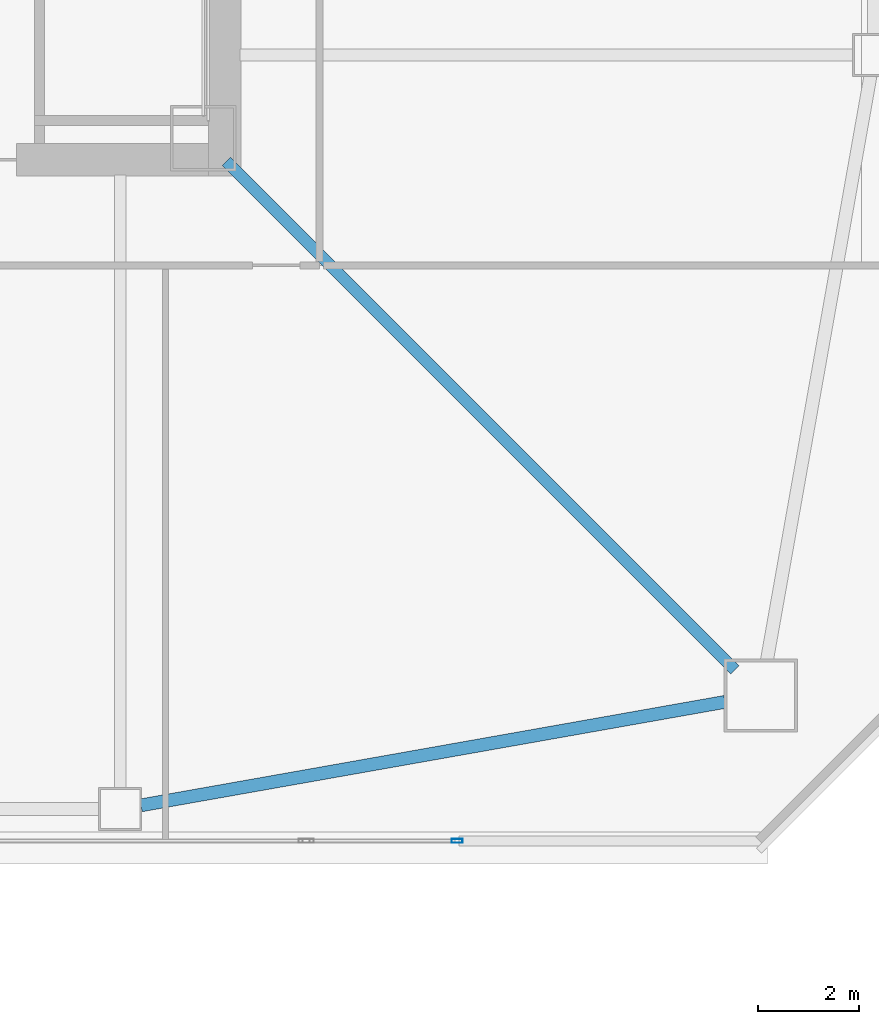
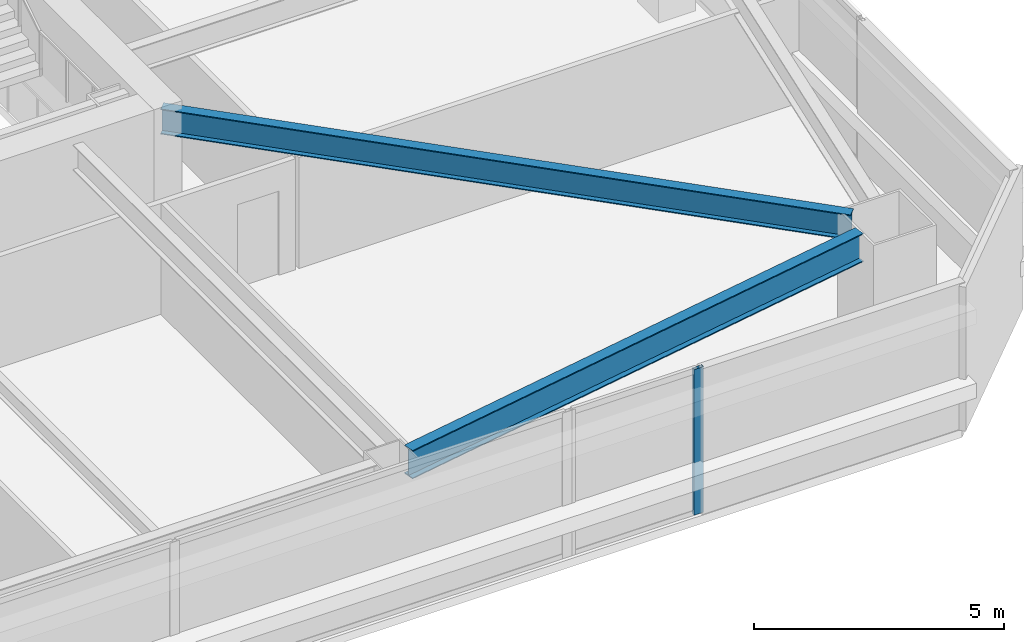
# One storey, part 8 of 44: 2 beams, 1 member, 1 element without a shape of its own.
"""IFC4 building model written with IfcOpenShell, lengths in metres."""

from ifc_helpers import new_model, si_unit, direction, frame, origin, origin_2d, place, context, subcontext, project, spatial, hollow_rectangle, i_section, extrude, material, material_profile, profile_set, type_object, element, aggregate, save


model = new_model("IFC4")

# Units and contexts
model_context = context("Model", 3, precision=1e-05, world=origin(), true_north=direction((0.0, 1.0)))
body_context = subcontext(model_context, "Body", "Model", "MODEL_VIEW")
ifc_project = project(units=[si_unit("LENGTHUNIT", "METRE"), si_unit("AREAUNIT", "SQUARE_METRE"), si_unit("VOLUMEUNIT", "CUBIC_METRE"), si_unit("PLANEANGLEUNIT", "RADIAN"), si_unit("MASSUNIT", "GRAM", prefix="KILO")], contexts=[model_context])

# Site, building, storey
site_placement = place(None, origin())
site = spatial("IfcSite", under=ifc_project, at=site_placement, CompositionType="ELEMENT")
building_placement = place(site_placement, origin())
building = spatial("IfcBuilding", under=site, at=building_placement, Name="Tashvorn Skyway Center", CompositionType="ELEMENT")
storey_placement = place(building_placement, frame((0.0, 0.0, 74.300048828125)))
storey = spatial("IfcBuildingStorey", under=building, at=storey_placement, Name="L19", CompositionType="ELEMENT", Elevation=74.300048828125)

# Beams
ifc_material_1 = material(Name="Steel ASTM A992 Grade 50", Category="steel")
ifc_material_profile_1 = material_profile(ifc_material_1, i_section(OverallWidth=0.22998046875, OverallDepth=0.616943359375, WebThickness=0.01318359375, FlangeThickness=0.022216796875, at=origin_2d()), Name="W24X94")
ifc_profile_set_1 = profile_set([ifc_material_profile_1], Name="Steel ASTM A992 Grade 50")
beam_type_1 = type_object("IfcBeamType", Name="BM-BEAM-W24X94", PredefinedType="BEAM", material=ifc_profile_set_1)
beam_1_placement = place(storey_placement, frame((59.5908203125, 14.4091796875, 3.04150390625), z_axis=(-0.707106781187, 0.707106781187, 0.0), x_axis=(-0.707106781187, -0.707106781187, 0.0)))
element("IfcBeam", 1, at=beam_1_placement, inside=storey, type_object=beam_type_1, Name="Tower 1 L19 Primary Floor Girder MC-SE", PredefinedType="BEAM", context=body_context, shape_type="SweptSolid", body=[
    extrude(i_section(OverallWidth=0.22998046875, OverallDepth=0.616943359375, WebThickness=0.01318359375, FlangeThickness=0.022216796875, at=origin_2d()), origin(), (0.0, 0.0, 1.0), 14.261962890625),
])
ifc_material_profile_2 = material_profile(ifc_material_1, i_section(OverallWidth=0.256103515625, OverallDepth=0.693115234375, WebThickness=0.014404296875, FlangeThickness=0.023681640625, at=origin_2d()), Name="W27X114")
ifc_profile_set_2 = profile_set([ifc_material_profile_2], Name="Steel ASTM A992 Grade 50")
beam_type_2 = type_object("IfcBeamType", Name="BM-SPANDREL-W27X114", PredefinedType="SPANDREL", material=ifc_profile_set_2)
beam_2_placement = place(storey_placement, frame((47.8134765625, 11.723388671875, 3.00341796875), z_axis=(0.98466816531, 0.174437966698, 0.0), x_axis=(-0.174437966698, 0.98466816531, 0.0)))
element("IfcBeam", 2, at=beam_2_placement, inside=storey, type_object=beam_type_2, Name="Tower 1 L19 Spandrel Beam 03", PredefinedType="SPANDREL", context=body_context, shape_type="SweptSolid", body=[
    extrude(i_section(OverallWidth=0.256103515625, OverallDepth=0.693115234375, WebThickness=0.014404296875, FlangeThickness=0.023681640625, at=origin_2d()), origin(), (0.0, 0.0, 1.0), 11.7578125),
])

# Curtain wall, member
ifc_material_2 = material(Name="Thermally broken bronze-anodized aluminium 6063-T6", Category="aluminium")
curtain_wall_type = type_object("IfcCurtainWallType", Name="CW-CW-Z2", PredefinedType="NOTDEFINED", material=ifc_material_2)
curtain_wall_placement = place(storey_placement, origin())
curtain_wall = element("IfcCurtainWall", 3, at=curtain_wall_placement, inside=storey, type_object=curtain_wall_type, Name="Tower 1 L19 South Unitised Curtain Wall Glazing Group 1", PredefinedType="NOTDEFINED")
ifc_material_profile_3 = material_profile(ifc_material_2, hollow_rectangle(XDim=0.080078125, YDim=0.219970703125, WallThickness=0.0048828125, at=origin_2d()), Name="ALU-MULL-80x220")
ifc_profile_set_3 = profile_set([ifc_material_profile_3], Name="Thermally broken bronze-anodized aluminium 6063-T6")
member_type = type_object("IfcMemberType", Name="CWM-CW-Z2", PredefinedType="MULLION", material=ifc_profile_set_3)
member_placement = place(storey_placement, frame((54.080078125, 11.02001953125, 0.0), z_axis=(0.0, 0.0, 1.0), x_axis=(0.0, -1.0, 0.0)))
member = element("IfcMember", 4, at=member_placement, type_object=member_type, Name="CW-Z2 mullion 1", PredefinedType="MULLION", context=body_context, shape_type="SweptSolid", body=[
    extrude(hollow_rectangle(XDim=0.080078125, YDim=0.219970703125, WallThickness=0.0048828125, at=origin_2d()), origin(), (0.0, 0.0, 1.0), 3.550048828125),
])
aggregate(curtain_wall, [member])

save(model, "model.ifc")
